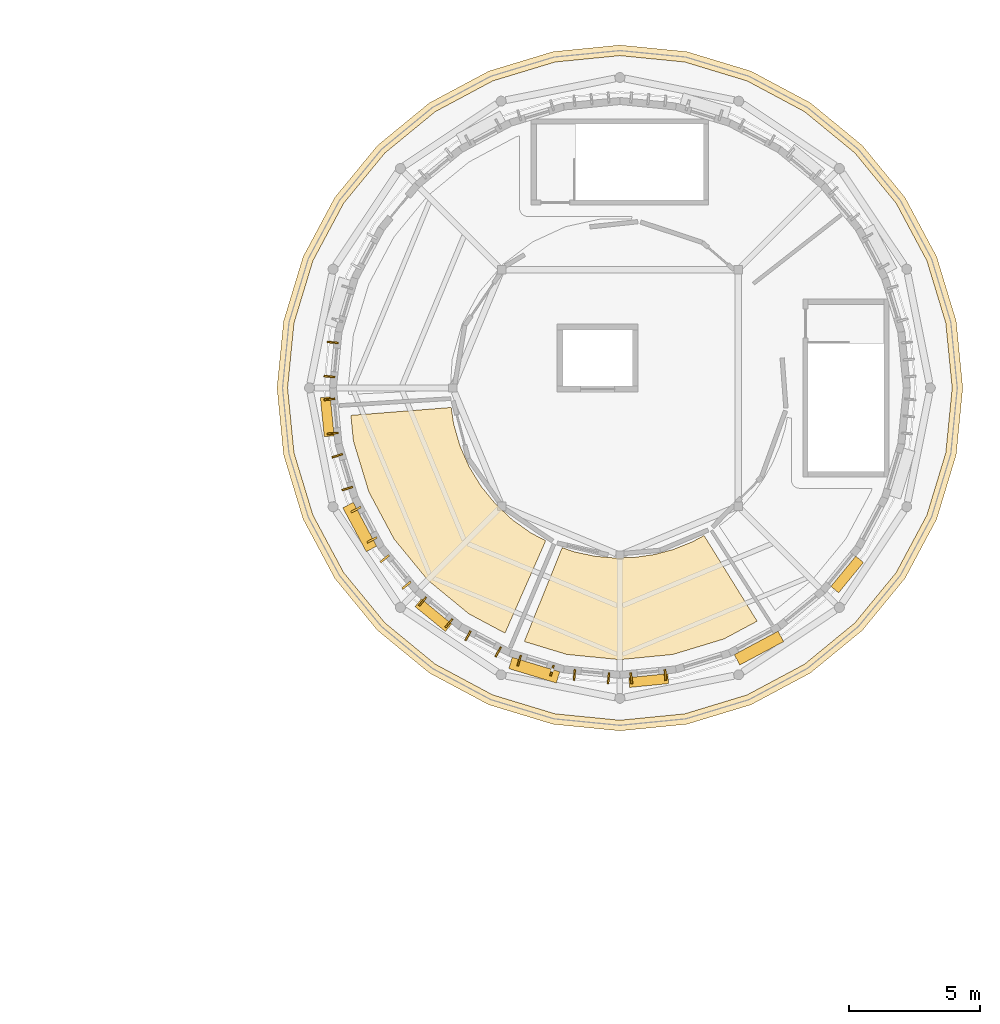
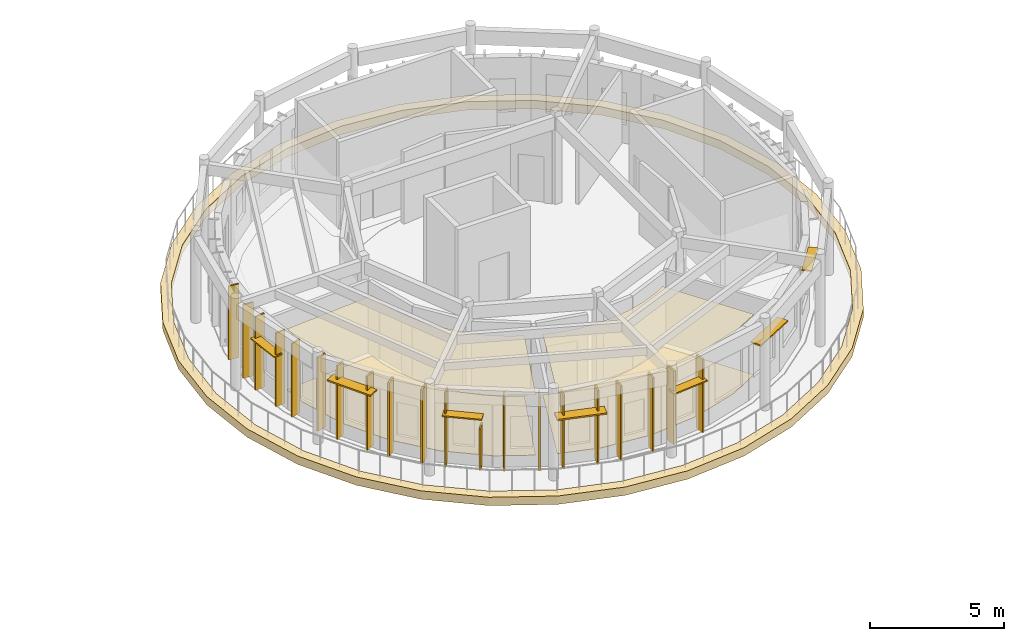
# One storey, part 35 of 37: 27 shading devices, 5 coverings.
"""IFC4 building model written with IfcOpenShell, lengths in metres."""

from ifc_helpers import new_model, si_unit, direction, frame, origin, origin_2d, place, context, subcontext, project, spatial, polyline, rectangle, outline, extrude, material, layer, layer_set, type_object, element, save


model = new_model("IFC4")

# Units and contexts
model_context = context("Model", 3, precision=1e-05, world=origin(), true_north=direction((0.0, 1.0)))
body_context = subcontext(model_context, "Body", "Model", "MODEL_VIEW")
ifc_project = project(units=[si_unit("LENGTHUNIT", "METRE"), si_unit("AREAUNIT", "SQUARE_METRE"), si_unit("VOLUMEUNIT", "CUBIC_METRE"), si_unit("PLANEANGLEUNIT", "RADIAN"), si_unit("MASSUNIT", "GRAM", prefix="KILO")], contexts=[model_context])

# Site, building, storey
site_placement = place(None, origin())
site = spatial("IfcSite", under=ifc_project, at=site_placement, CompositionType="ELEMENT")
building_placement = place(site_placement, origin())
building = spatial("IfcBuilding", under=site, at=building_placement, Name="Aldenvaro Health Centre", CompositionType="ELEMENT")
storey_placement = place(building_placement, frame((0.0, 0.0, 12.949951171875)))
storey = spatial("IfcBuildingStorey", under=building, at=storey_placement, Name="L03", CompositionType="ELEMENT", Elevation=12.949951171875)

# Coverings
ifc_material_1 = material(Name="Antimicrobial Mineral Fibre Ceiling")
ifc_layer_1 = layer(ifc_material_1, 0.01806640625, Name="Antimicrobial Mineral Fibre Ceiling")
ifc_layer_set_1 = layer_set([ifc_layer_1], Name="Antimicrobial Mineral Fibre Ceiling")
covering_type_1 = type_object("IfcCoveringType", Name="COV-CLG-ACT18", PredefinedType="CEILING", material=ifc_layer_set_1)
covering_1_placement = place(storey_placement, frame((0.0, 0.0, 2.75)))
element("IfcCovering", 1, at=covering_1_placement, inside=storey, type_object=covering_type_1, Name="D2-L03-R02 Suspended Ceiling", PredefinedType="CEILING", context=body_context, shape_type="SweptSolid", body=[
    extrude(outline(polyline([(148.134033203125, 98.139892578125), (148.14111328125, 98.10791015625), (148.375, 97.297119140625), (148.385986328125, 97.26708984375), (148.72607421875, 96.4951171875), (148.740966796875, 96.466064453125), (149.181884765625, 95.7470703125), (149.199951171875, 95.719970703125), (149.73388671875, 95.06689453125), (149.756103515625, 95.04296875), (150.3720703125, 94.467041015625), (150.39697265625, 94.446044921875), (151.0849609375, 93.9580078125), (151.113037109375, 93.94091796875), (151.660888671875, 93.654052734375), (150.10302734375, 90.116943359375), (148.722900390625, 90.85400390625), (147.14697265625, 92.14697265625), (145.85400390625, 93.722900390625), (144.89306640625, 95.52099609375), (144.301025390625, 97.471923828125), (144.205078125, 98.450927734375), (148.0439453125, 98.7529296875), (148.134033203125, 98.139892578125)])), origin(), (0.0, 0.0, 1.0), 0.01806640625),
])
covering_2_placement = place(storey_placement, frame((0.0, 0.0, 2.75)))
element("IfcCovering", 2, at=covering_2_placement, inside=storey, type_object=covering_type_1, Name="D2-L03-R03 Suspended Ceiling", PredefinedType="CEILING", context=body_context, shape_type="SweptSolid", body=[
    extrude(outline(polyline([(152.77294921875, 93.22412109375), (152.800048828125, 93.216064453125), (153.52001953125, 93.06494140625), (153.548095703125, 93.06005859375), (154.280029296875, 92.993896484375), (154.30810546875, 92.992919921875), (155.04296875, 93.012939453125), (155.071044921875, 93.01611328125), (155.799072265625, 93.12109375), (155.826904296875, 93.126953125), (156.537109375, 93.31689453125), (156.56396484375, 93.325927734375), (157.2470703125, 93.597900390625), (157.27197265625, 93.610107421875), (157.719970703125, 93.85302734375), (159.7529296875, 90.573974609375), (158.47900390625, 89.89306640625), (156.528076171875, 89.301025390625), (154.5, 89.10205078125), (152.471923828125, 89.301025390625), (150.842041015625, 89.7958984375), (152.291015625, 93.385986328125), (152.77294921875, 93.22412109375)])), origin(), (0.0, 0.0, 1.0), 0.01806640625),
])
ifc_material_2 = material(Name="Honed Sonoran Buff Limestone", Category="masonry")
ifc_layer_2 = layer(ifc_material_2, 0.280029296875, Name="Honed Sonoran Buff Limestone", Category="masonry")
ifc_layer_set_2 = layer_set([ifc_layer_2], Name="Honed Sonoran Buff Limestone")
covering_type_2 = type_object("IfcCoveringType", Name="COV-CRN-STN", PredefinedType="CLADDING", material=ifc_layer_set_2)
covering_3_placement = place(storey_placement, frame((0.0, 0.0, -0.33984375)))
element("IfcCovering", 3, at=covering_3_placement, inside=storey, type_object=covering_type_2, Name="D2 L03 Classical Stone Entablature Cornice 1", PredefinedType="CLADDING", context=body_context, shape_type="SweptSolid", body=[
    extrude(outline(polyline([(167.6201171875, 99.5), (167.367919921875, 102.06005859375), (166.62109375, 104.52099609375), (165.408935546875, 106.7890625), (163.777099609375, 108.777099609375), (161.7890625, 110.408935546875), (159.52099609375, 111.62109375), (157.06005859375, 112.367919921875), (154.5, 112.6201171875), (151.93994140625, 112.367919921875), (149.47900390625, 111.62109375), (147.2109375, 110.408935546875), (145.222900390625, 108.777099609375), (143.591064453125, 106.7890625), (142.37890625, 104.52099609375), (141.632080078125, 102.06005859375), (141.3798828125, 99.5), (141.632080078125, 96.93994140625), (142.37890625, 94.47900390625), (143.591064453125, 92.2109375), (145.222900390625, 90.222900390625), (147.2109375, 88.591064453125), (149.47900390625, 87.37890625), (151.93994140625, 86.632080078125), (154.5, 86.3798828125), (157.06005859375, 86.632080078125), (159.52099609375, 87.37890625), (161.7890625, 88.591064453125), (163.777099609375, 90.222900390625), (165.408935546875, 92.2109375), (166.62109375, 94.47900390625), (167.367919921875, 96.93994140625), (167.6201171875, 99.5)]), holes=[polyline([(167.215087890625, 99.5), (166.970947265625, 97.01904296875), (166.2470703125, 94.634033203125), (165.072021484375, 92.43603515625), (163.490966796875, 90.509033203125), (161.56396484375, 88.927978515625), (159.365966796875, 87.7529296875), (156.98095703125, 87.029052734375), (154.5, 86.784912109375), (152.01904296875, 87.029052734375), (149.634033203125, 87.7529296875), (147.43603515625, 88.927978515625), (145.509033203125, 90.509033203125), (143.927978515625, 92.43603515625), (142.7529296875, 94.634033203125), (142.029052734375, 97.01904296875), (141.784912109375, 99.5), (142.029052734375, 101.98095703125), (142.7529296875, 104.365966796875), (143.927978515625, 106.56396484375), (145.509033203125, 108.490966796875), (147.43603515625, 110.072021484375), (149.634033203125, 111.2470703125), (152.01904296875, 111.970947265625), (154.5, 112.215087890625), (156.98095703125, 111.970947265625), (159.365966796875, 111.2470703125), (161.56396484375, 110.072021484375), (163.490966796875, 108.490966796875), (165.072021484375, 106.56396484375), (166.2470703125, 104.365966796875), (166.970947265625, 101.98095703125), (167.215087890625, 99.5)])]), origin(), (0.0, 0.0, 1.0), 0.3798828125),
])
ifc_material_3 = material(Name="Polished Epoxy Terrazzo Flooring")
ifc_layer_3 = layer(ifc_material_3, 0.02197265625, Name="Polished Epoxy Terrazzo Flooring")
ifc_layer_set_3 = layer_set([ifc_layer_3], Name="Polished Epoxy Terrazzo Flooring")
covering_type_3 = type_object("IfcCoveringType", Name="COV-FLR-TER22", PredefinedType="FLOORING", material=ifc_layer_set_3)
covering_4_placement = place(storey_placement, origin())
element("IfcCovering", 4, at=covering_4_placement, inside=storey, type_object=covering_type_3, Name="D2-L03-R02 Flooring", PredefinedType="FLOORING", context=body_context, shape_type="SweptSolid", body=[
    extrude(outline(polyline([(148.134033203125, 98.139892578125), (148.14111328125, 98.10791015625), (148.375, 97.297119140625), (148.385986328125, 97.26708984375), (148.72607421875, 96.4951171875), (148.740966796875, 96.466064453125), (149.181884765625, 95.7470703125), (149.199951171875, 95.719970703125), (149.73388671875, 95.06689453125), (149.756103515625, 95.04296875), (150.3720703125, 94.467041015625), (150.39697265625, 94.446044921875), (151.0849609375, 93.9580078125), (151.113037109375, 93.94091796875), (151.660888671875, 93.654052734375), (150.10302734375, 90.116943359375), (148.722900390625, 90.85400390625), (147.14697265625, 92.14697265625), (145.85400390625, 93.722900390625), (144.89306640625, 95.52099609375), (144.301025390625, 97.471923828125), (144.205078125, 98.450927734375), (148.0439453125, 98.7529296875), (148.134033203125, 98.139892578125)])), origin(), (0.0, 0.0, 1.0), 0.02197265625),
])
covering_5_placement = place(storey_placement, origin())
element("IfcCovering", 5, at=covering_5_placement, inside=storey, type_object=covering_type_3, Name="D2-L03-R03 Flooring", PredefinedType="FLOORING", context=body_context, shape_type="SweptSolid", body=[
    extrude(outline(polyline([(152.77294921875, 93.22412109375), (152.800048828125, 93.216064453125), (153.52001953125, 93.06494140625), (153.548095703125, 93.06005859375), (154.280029296875, 92.993896484375), (154.30810546875, 92.992919921875), (155.04296875, 93.012939453125), (155.071044921875, 93.01611328125), (155.799072265625, 93.12109375), (155.826904296875, 93.126953125), (156.537109375, 93.31689453125), (156.56396484375, 93.325927734375), (157.2470703125, 93.597900390625), (157.27197265625, 93.610107421875), (157.719970703125, 93.85302734375), (159.7529296875, 90.573974609375), (158.47900390625, 89.89306640625), (156.528076171875, 89.301025390625), (154.5, 89.10205078125), (152.471923828125, 89.301025390625), (150.842041015625, 89.7958984375), (152.291015625, 93.385986328125), (152.77294921875, 93.22412109375)])), origin(), (0.0, 0.0, 1.0), 0.02197265625),
])

# Shading devices
ifc_material_4 = material(Name="Douglas Fir Exterior Glulam GL28h", Category="wood")
shading_device_type_1 = type_object("IfcShadingDeviceType", Name="SHD-FIN-190", PredefinedType="USERDEFINED", material=ifc_material_4)
shading_device_1_placement = place(storey_placement, frame((147.964111328125, 90.5009765625, -0.02001953125), z_axis=(0.0, 0.0, 1.0), x_axis=(-0.772921497352, 0.634501661882, 0.0)))
element("IfcShadingDevice", 6, at=shading_device_1_placement, inside=storey, type_object=shading_device_type_1, Name="D2 L03 Douglas fir fin 11.1", ObjectType="FIN", PredefinedType="USERDEFINED", context=body_context, shape_type="SweptSolid", body=[
    extrude(rectangle(XDim=0.06494140625, YDim=0.419921875, at=origin_2d()), origin(), (0.0, 0.0, 1.0), 1.89990234375),
])
shading_device_type_2 = type_object("IfcShadingDeviceType", Name="SHD-FIN-340", PredefinedType="USERDEFINED", material=ifc_material_4)
for number, where, z_axis, x_axis, name in (
    (7, (156.240966796875, 88.51611328125, -0.02001953125), (0.0, 0.0, 1.0), (-0.995183302886, -0.0980315952, 0.0), "D2 L03 Douglas fir fin 7.1"),
    (8, (154.93505859375, 88.386962890625, -0.02001953125), (0.0, 0.0, 1.0), (-0.995183302886, -0.0980315952, 0.0), "D2 L03 Douglas fir fin 7.3"),
    (9, (145.01806640625, 93.68798828125, -0.02001953125), (0.0, 0.0, 1.0), (-0.471215232797, 0.882018256263, 0.0), "D2 L03 Douglas fir fin 13.1"),
    (10, (144.39990234375, 94.844970703125, -0.02001953125), (0.0, 0.0, 1.0), (-0.471215232797, 0.882018256263, 0.0), "D2 L03 Douglas fir fin 13.3"),
):
    element("IfcShadingDevice", number, at=place(storey_placement, frame(where, z_axis=z_axis, x_axis=x_axis)), inside=storey, type_object=shading_device_type_2, Name=name, ObjectType="FIN", PredefinedType="USERDEFINED", context=body_context, shape_type="SweptSolid", body=[
        extrude(rectangle(XDim=0.074951171875, YDim=0.419921875, at=origin_2d()), origin(), (0.0, 0.0, 1.0), 3.35400390625),
    ])
shading_device_type_3 = type_object("IfcShadingDeviceType", Name="SHD-FIN-380", PredefinedType="USERDEFINED", material=ifc_material_4)
for number, where, z_axis, x_axis, name in (
    (11, (146.333984375, 91.949951171875, -0.02001953125), (0.0, 0.0, 1.0), (-0.634501661882, 0.772921497352, 0.0), "D2 L03 Douglas fir fin 12.1"),
    (12, (145.5009765625, 92.964111328125, -0.02001953125), (0.0, 0.0, 1.0), (-0.634501661882, 0.772921497352, 0.0), "D2 L03 Douglas fir fin 12.3"),
):
    element("IfcShadingDevice", number, at=place(storey_placement, frame(where, z_axis=z_axis, x_axis=x_axis)), inside=storey, type_object=shading_device_type_3, Name=name, ObjectType="FIN", PredefinedType="USERDEFINED", context=body_context, shape_type="SweptSolid", body=[
        extrude(rectangle(XDim=0.074951171875, YDim=0.419921875, at=origin_2d()), origin(), (0.0, 0.0, 1.0), 3.35400390625),
    ])
shading_device_type_4 = type_object("IfcShadingDeviceType", Name="SHD-FIN-400", PredefinedType="USERDEFINED", material=ifc_material_4)
shading_device_2_placement = place(storey_placement, frame((146.949951171875, 91.333984375, -0.02001953125), z_axis=(0.0, 0.0, 1.0), x_axis=(-0.772921497352, 0.634501661882, 0.0)))
element("IfcShadingDevice", 13, at=shading_device_2_placement, inside=storey, type_object=shading_device_type_4, Name="D2 L03 Douglas fir fin 11.3", ObjectType="FIN", PredefinedType="USERDEFINED", context=body_context, shape_type="SweptSolid", body=[
    extrude(rectangle(XDim=0.06494140625, YDim=0.419921875, at=origin_2d()), origin(), (0.0, 0.0, 1.0), 3.35400390625),
])
shading_device_type_5 = type_object("IfcShadingDeviceType", Name="SHD-FIN-420", PredefinedType="USERDEFINED", material=ifc_material_4)
for number, where, z_axis, x_axis, name in (
    (14, (149.844970703125, 89.39990234375, -0.02001953125), (0.0, 0.0, 1.0), (-0.882018256263, 0.471215232797, 0.0), "D2 L03 Douglas fir fin 10.1"),
    (15, (148.68798828125, 90.01806640625, -0.02001953125), (0.0, 0.0, 1.0), (-0.882018256263, 0.471215232797, 0.0), "D2 L03 Douglas fir fin 10.3"),
    (16, (143.386962890625, 99.93505859375, -0.02001953125), (0.0, 0.0, 1.0), (0.0980315952, 0.995183302886, 0.0), "D2 L03 Douglas fir fin 16.1"),
    (17, (143.51611328125, 101.240966796875, -0.02001953125), (0.0, 0.0, 1.0), (0.0980315952, 0.995183302886, 0.0), "D2 L03 Douglas fir fin 16.3"),
):
    element("IfcShadingDevice", number, at=place(storey_placement, frame(where, z_axis=z_axis, x_axis=x_axis)), inside=storey, type_object=shading_device_type_5, Name=name, ObjectType="FIN", PredefinedType="USERDEFINED", context=body_context, shape_type="SweptSolid", body=[
        extrude(rectangle(XDim=0.06494140625, YDim=0.419921875, at=origin_2d()), origin(), (0.0, 0.0, 1.0), 3.35400390625),
    ])
shading_device_type_6 = type_object("IfcShadingDeviceType", Name="SHD-FIN-435", PredefinedType="USERDEFINED", material=ifc_material_4)
for number, where, z_axis, x_axis, name in (
    (18, (151.905029296875, 88.68505859375, -0.02001953125), (0.0, 0.0, 1.0), (-0.956926678266, 0.290329696075, 0.0), "D2 L03 Douglas fir fin 9.1"),
    (19, (150.64892578125, 89.06689453125, -0.02001953125), (0.0, 0.0, 1.0), (-0.956926678266, 0.290329696075, 0.0), "D2 L03 Douglas fir fin 9.3"),
    (20, (143.51611328125, 97.759033203125, -0.02001953125), (0.0, 0.0, 1.0), (-0.0980315952, 0.995183302886, 0.0), "D2 L03 Douglas fir fin 15.1"),
    (21, (143.386962890625, 99.06494140625, -0.02001953125), (0.0, 0.0, 1.0), (-0.0980315952, 0.995183302886, 0.0), "D2 L03 Douglas fir fin 15.3"),
):
    element("IfcShadingDevice", number, at=place(storey_placement, frame(where, z_axis=z_axis, x_axis=x_axis)), inside=storey, type_object=shading_device_type_6, Name=name, ObjectType="FIN", PredefinedType="USERDEFINED", context=body_context, shape_type="SweptSolid", body=[
        extrude(rectangle(XDim=0.06494140625, YDim=0.419921875, at=origin_2d()), origin(), (0.0, 0.0, 1.0), 3.35400390625),
    ])
shading_device_type_7 = type_object("IfcShadingDeviceType", Name="SHD-FIN-455", PredefinedType="USERDEFINED", material=ifc_material_4)
for number, where, z_axis, x_axis, name in (
    (22, (154.06494140625, 88.386962890625, -0.02001953125), (0.0, 0.0, 1.0), (-0.995183302886, 0.0980315952, 0.0), "D2 L03 Douglas fir fin 8.1"),
    (23, (152.759033203125, 88.51611328125, -0.02001953125), (0.0, 0.0, 1.0), (-0.995183302886, 0.0980315952, 0.0), "D2 L03 Douglas fir fin 8.3"),
    (24, (144.06689453125, 95.64892578125, -0.02001953125), (0.0, 0.0, 1.0), (-0.290329696075, 0.956926678266, 0.0), "D2 L03 Douglas fir fin 14.1"),
    (25, (143.68505859375, 96.905029296875, -0.02001953125), (0.0, 0.0, 1.0), (-0.290329696075, 0.956926678266, 0.0), "D2 L03 Douglas fir fin 14.3"),
):
    element("IfcShadingDevice", number, at=place(storey_placement, frame(where, z_axis=z_axis, x_axis=x_axis)), inside=storey, type_object=shading_device_type_7, Name=name, ObjectType="FIN", PredefinedType="USERDEFINED", context=body_context, shape_type="SweptSolid", body=[
        extrude(rectangle(XDim=0.06494140625, YDim=0.419921875, at=origin_2d()), origin(), (0.0, 0.0, 1.0), 3.35400390625),
    ])
shading_device_type_8 = type_object("IfcShadingDeviceType", Name="SHD-LVR-150", PredefinedType="JALOUSIE", material=ifc_material_4)
for number, where, z_axis, x_axis, name in (
    (26, (163.197998046875, 92.362060546875, 2.95263671875), (0.0, 0.0, 1.0), (-0.634501661882, -0.772921497352, 0.0), "D2 L03 horizontal solar louvre 03"),
    (27, (155.60302734375, 88.302001953125, 2.3525390625), (0.0, 0.0, 1.0), (-0.995183302886, -0.0980315952, 0.0), "D2 L03 horizontal solar louvre 07"),
    (28, (147.362060546875, 90.802001953125, 2.3525390625), (0.0, 0.0, 1.0), (-0.772921497352, 0.634501661882, 0.0), "D2 L03 horizontal solar louvre 11"),
    (29, (143.302001953125, 98.39697265625, 2.302734375), (0.0, 0.0, 1.0), (-0.0980315952, 0.995183302886, 0.0), "D2 L03 horizontal solar louvre 15"),
):
    element("IfcShadingDevice", number, at=place(storey_placement, frame(where, z_axis=z_axis, x_axis=x_axis)), inside=storey, type_object=shading_device_type_8, Name=name, PredefinedType="JALOUSIE", context=body_context, shape_type="SweptSolid", body=[
        extrude(rectangle(XDim=1.5, YDim=0.3798828125, at=origin_2d()), origin(), (0.0, 0.0, 1.0), 0.054931640625),
    ])
shading_device_type_9 = type_object("IfcShadingDeviceType", Name="SHD-LVR-190", PredefinedType="JALOUSIE", material=ifc_material_4)
for number, where, z_axis, x_axis, name in (
    (30, (159.821044921875, 89.544921875, 2.547607421875), (0.0, 0.0, 1.0), (-0.882018256263, -0.471215232797, 0.0), "D2 L03 horizontal solar louvre 05"),
    (31, (151.22412109375, 88.698974609375, 2.34765625), (0.0, 0.0, 1.0), (-0.956926678266, 0.290329696075, 0.0), "D2 L03 horizontal solar louvre 09"),
    (32, (144.544921875, 94.178955078125, 2.6474609375), (0.0, 0.0, 1.0), (-0.471215232797, 0.882018256263, 0.0), "D2 L03 horizontal solar louvre 13"),
):
    element("IfcShadingDevice", number, at=place(storey_placement, frame(where, z_axis=z_axis, x_axis=x_axis)), inside=storey, type_object=shading_device_type_9, Name=name, PredefinedType="JALOUSIE", context=body_context, shape_type="SweptSolid", body=[
        extrude(rectangle(XDim=1.89990234375, YDim=0.449951171875, at=origin_2d()), origin(), (0.0, 0.0, 1.0), 0.06494140625),
    ])

save(model, "model.ifc")
